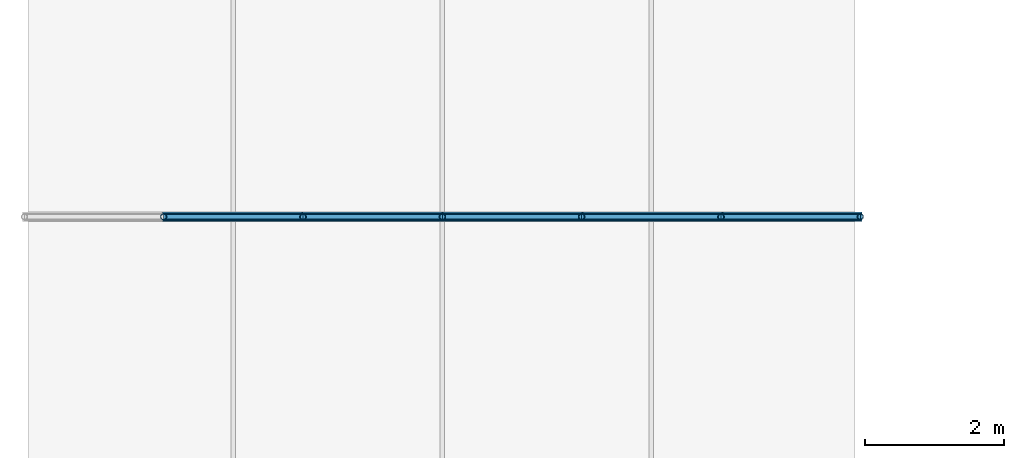
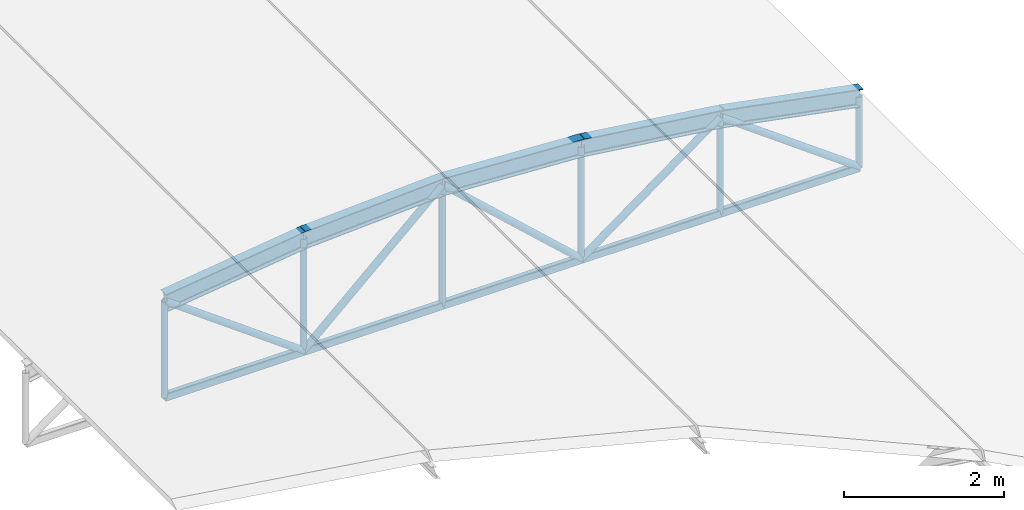
# One storey, part 38 of 54: 21 members.
"""IFC4 building model written with IfcOpenShell, lengths in metres."""

from ifc_helpers import new_model, si_unit, derived_unit, direction, frame, origin, origin_2d, place, context, subcontext, project, spatial, hollow_rectangle, hollow_circle, i_section, extrude, material, material_profile, profile_set, type_object, element, save


model = new_model("IFC4")

# Units and contexts
model_context = context("Model", 3, precision=1e-05, world=origin(), true_north=direction((0.0, 1.0)))
body_context = subcontext(model_context, "Body", "Model", "MODEL_VIEW")
ifc_project = project(units=[si_unit("LENGTHUNIT", "METRE"), si_unit("AREAUNIT", "SQUARE_METRE"), si_unit("VOLUMEUNIT", "CUBIC_METRE"), si_unit("PLANEANGLEUNIT", "RADIAN"), si_unit("MASSUNIT", "GRAM", prefix="KILO"), derived_unit("THERMALTRANSMITTANCEUNIT", [(si_unit("POWERUNIT", "WATT"), 1), (si_unit("LENGTHUNIT", "METRE"), -2), (si_unit("THERMODYNAMICTEMPERATUREUNIT", "KELVIN"), -1)])], contexts=[model_context])

# Site, building, storey
site_placement = place(None, origin())
site = spatial("IfcSite", under=ifc_project, at=site_placement, CompositionType="ELEMENT")
building_placement = place(site_placement, origin())
building = spatial("IfcBuilding", under=site, at=building_placement, Name="Keldorne Ridge Multi-Sports Centre", CompositionType="ELEMENT")
storey_placement = place(building_placement, frame((0.0, 0.0, 22.199951171875)))
storey = spatial("IfcBuildingStorey", under=building, at=storey_placement, Name="ROOF", CompositionType="ELEMENT", Elevation=22.199951171875)

# Members
ifc_material = material(Name="Steel S355", Category="steel")
ifc_material_profile_1 = material_profile(ifc_material, i_section(OverallWidth=0.135009765625, OverallDepth=0.27001953125, WebThickness=0.006591796875, FlangeThickness=0.01025390625, FilletRadius=0.014892578125, at=origin_2d()), Name="IPE 270")
ifc_profile_set_1 = profile_set([ifc_material_profile_1], Name="Steel S355")
member_type_1 = type_object("IfcMemberType", Name="MEM-RF-02", PredefinedType="RAFTER", material=ifc_profile_set_1)
member_1_placement = place(storey_placement, frame((86.0, 82.0, -12.260009765625), z_axis=(0.991654998325, 0.0, 0.128919991848), x_axis=(0.0, 1.0, 0.0)))
element("IfcMember", 1, at=member_1_placement, inside=storey, type_object=member_type_1, Name="Public Passage bowstring arch top chord 10.2", PredefinedType="RAFTER", context=body_context, shape_type="SweptSolid", body=[
    extrude(i_section(OverallWidth=0.135009765625, OverallDepth=0.27001953125, WebThickness=0.006591796875, FlangeThickness=0.01025390625, FilletRadius=0.014892578125, at=origin_2d()), origin(), (0.0, 0.0, 1.0), 2.016845703125),
])
for number, where, z_axis, x_axis, name in (
    (2, (88.0, 82.0, -12.0), (0.998487980686, 0.0, 0.054970468663), (0.0, 1.0, 0.0), "Public Passage bowstring arch top chord 10.3"),
    (3, (90.0, 82.0, -11.889892578125), (0.998487980686, 0.0, -0.054970468663), (0.0, 1.0, 0.0), "Public Passage bowstring arch top chord 10.4"),
):
    element("IfcMember", number, at=place(storey_placement, frame(where, z_axis=z_axis, x_axis=x_axis)), inside=storey, type_object=member_type_1, Name=name, PredefinedType="RAFTER", context=body_context, shape_type="SweptSolid", body=[
        extrude(i_section(OverallWidth=0.135009765625, OverallDepth=0.27001953125, WebThickness=0.006591796875, FlangeThickness=0.01025390625, FilletRadius=0.014892578125, at=origin_2d()), origin(), (0.0, 0.0, 1.0), 2.0029296875),
    ])
member_2_placement = place(storey_placement, frame((92.0, 82.0, -12.0), z_axis=(0.991654998325, 0.0, -0.128919991848), x_axis=(0.0, 1.0, 0.0)))
element("IfcMember", 4, at=member_2_placement, inside=storey, type_object=member_type_1, Name="Public Passage bowstring arch top chord 10.5", PredefinedType="RAFTER", context=body_context, shape_type="SweptSolid", body=[
    extrude(i_section(OverallWidth=0.135009765625, OverallDepth=0.27001953125, WebThickness=0.006591796875, FlangeThickness=0.01025390625, FilletRadius=0.014892578125, at=origin_2d()), origin(), (0.0, 0.0, 1.0), 2.016845703125),
])
member_3_placement = place(storey_placement, frame((94.0, 82.0, -12.260009765625), z_axis=(0.982435006317, 0.0, -0.186605086649), x_axis=(0.0, 1.0, 0.0)))
element("IfcMember", 5, at=member_3_placement, inside=storey, type_object=member_type_1, Name="Public Passage bowstring arch top chord 10.6", PredefinedType="RAFTER", context=body_context, shape_type="SweptSolid", body=[
    extrude(i_section(OverallWidth=0.135009765625, OverallDepth=0.27001953125, WebThickness=0.006591796875, FlangeThickness=0.01025390625, FilletRadius=0.014892578125, at=origin_2d()), origin(), (0.0, 0.0, 1.0), 2.03564453125),
])
ifc_material_profile_2 = material_profile(ifc_material, hollow_rectangle(XDim=0.080078125, YDim=0.1201171875, WallThickness=0.008056640625, InnerFilletRadius=0.008056640625, OuterFilletRadius=0.01611328125, at=origin_2d()), Name="RHS 120x80x8")
ifc_profile_set_2 = profile_set([ifc_material_profile_2], Name="Steel S355")
member_type_2 = type_object("IfcMemberType", Name="MEM-TC-07", PredefinedType="CHORD", material=ifc_profile_set_2)
for number, where, z_axis, x_axis, name in (
    (6, (86.0, 82.0, -13.719970703125), (1.0, 0.0, 0.0), (0.0, 1.0, 0.0), "Public Passage bowstring tie chord 10.2"),
    (7, (88.0, 82.0, -13.719970703125), (1.0, 0.0, 0.0), (0.0, 1.0, 0.0), "Public Passage bowstring tie chord 10.3"),
    (8, (90.0, 82.0, -13.719970703125), (1.0, 0.0, 0.0), (0.0, 1.0, 0.0), "Public Passage bowstring tie chord 10.4"),
    (9, (92.0, 82.0, -13.719970703125), (1.0, 0.0, 0.0), (0.0, 1.0, 0.0), "Public Passage bowstring tie chord 10.5"),
    (10, (94.0, 82.0, -13.719970703125), (1.0, 0.0, 0.0), (0.0, 1.0, 0.0), "Public Passage bowstring tie chord 10.6"),
):
    element("IfcMember", number, at=place(storey_placement, frame(where, z_axis=z_axis, x_axis=x_axis)), inside=storey, type_object=member_type_2, Name=name, PredefinedType="CHORD", context=body_context, shape_type="SweptSolid", body=[
        extrude(hollow_rectangle(XDim=0.080078125, YDim=0.1201171875, WallThickness=0.008056640625, InnerFilletRadius=0.008056640625, OuterFilletRadius=0.01611328125, at=origin_2d()), origin(), (0.0, 0.0, 1.0), 2.0),
    ])
ifc_material_profile_3 = material_profile(ifc_material, hollow_circle(Radius=0.05078125, WallThickness=0.00634765625, at=origin_2d()), Name="CHS 101.6x6.3")
ifc_profile_set_3 = profile_set([ifc_material_profile_3], Name="Steel S355")
member_type_3 = type_object("IfcMemberType", Name="MEM-TD-05", PredefinedType="BRACE", material=ifc_profile_set_3)
member_4_placement = place(storey_placement, frame((86.0, 82.0, -12.260009765625), z_axis=(0.8076945033, 0.0, -0.589601212125), x_axis=(0.0, 1.0, 0.0)))
element("IfcMember", 11, at=member_4_placement, inside=storey, type_object=member_type_3, Name="Public Passage bowstring web diagonal 10.2", PredefinedType="BRACE", context=body_context, shape_type="SweptSolid", body=[
    extrude(hollow_circle(Radius=0.05078125, WallThickness=0.00634765625, at=origin_2d()), origin(), (0.0, 0.0, 1.0), 2.47607421875),
])
for number, where, z_axis, x_axis, name in (
    (12, (88.0, 82.0, -13.719970703125), (0.737751969913, 0.0, 0.675071870907), (0.0, 1.0, 0.0), "Public Passage bowstring web diagonal 10.3"),
    (13, (90.0, 82.0, -11.889892578125), (0.737751969913, 0.0, -0.675071870907), (0.0, 1.0, 0.0), "Public Passage bowstring web diagonal 10.4"),
):
    element("IfcMember", number, at=place(storey_placement, frame(where, z_axis=z_axis, x_axis=x_axis)), inside=storey, type_object=member_type_3, Name=name, PredefinedType="BRACE", context=body_context, shape_type="SweptSolid", body=[
        extrude(hollow_circle(Radius=0.05078125, WallThickness=0.00634765625, at=origin_2d()), origin(), (0.0, 0.0, 1.0), 2.7109375),
    ])
for number, where, z_axis, x_axis, name in (
    (14, (92.0, 82.0, -13.719970703125), (0.8076945033, 0.0, 0.589601212125), (0.0, 1.0, 0.0), "Public Passage bowstring web diagonal 10.5"),
    (15, (94.0, 82.0, -12.260009765625), (0.8076945033, 0.0, -0.589601212125), (0.0, 1.0, 0.0), "Public Passage bowstring web diagonal 10.6"),
):
    element("IfcMember", number, at=place(storey_placement, frame(where, z_axis=z_axis, x_axis=x_axis)), inside=storey, type_object=member_type_3, Name=name, PredefinedType="BRACE", context=body_context, shape_type="SweptSolid", body=[
        extrude(hollow_circle(Radius=0.05078125, WallThickness=0.00634765625, at=origin_2d()), origin(), (0.0, 0.0, 1.0), 2.47607421875),
    ])
ifc_material_profile_4 = material_profile(ifc_material, hollow_circle(Radius=0.04443359375, WallThickness=0.0048828125, at=origin_2d()), Name="CHS 88.9x5")
ifc_profile_set_4 = profile_set([ifc_material_profile_4], Name="Steel S355")
member_type_4 = type_object("IfcMemberType", Name="MEM-TV-07", PredefinedType="STRUT", material=ifc_profile_set_4)
member_5_placement = place(storey_placement, frame((86.0, 82.0, -13.719970703125), z_axis=(0.0, 0.0, 1.0), x_axis=(1.0, 0.0, 0.0)))
element("IfcMember", 16, at=member_5_placement, inside=storey, type_object=member_type_4, Name="Public Passage bowstring hanger 10.2", PredefinedType="STRUT", context=body_context, shape_type="SweptSolid", body=[
    extrude(hollow_circle(Radius=0.04443359375, WallThickness=0.0048828125, at=origin_2d()), origin(), (0.0, 0.0, 1.0), 1.4599609375),
])
member_6_placement = place(storey_placement, frame((88.0, 82.0, -13.719970703125), z_axis=(0.0, 0.0, 1.0), x_axis=(1.0, 0.0, 0.0)))
element("IfcMember", 17, at=member_6_placement, inside=storey, type_object=member_type_4, Name="Public Passage bowstring hanger 10.3", PredefinedType="STRUT", context=body_context, shape_type="SweptSolid", body=[
    extrude(hollow_circle(Radius=0.04443359375, WallThickness=0.0048828125, at=origin_2d()), origin(), (0.0, 0.0, 1.0), 1.719970703125),
])
member_7_placement = place(storey_placement, frame((90.0, 82.0, -13.719970703125), z_axis=(0.0, 0.0, 1.0), x_axis=(1.0, 0.0, 0.0)))
element("IfcMember", 18, at=member_7_placement, inside=storey, type_object=member_type_4, Name="Public Passage bowstring hanger 10.4", PredefinedType="STRUT", context=body_context, shape_type="SweptSolid", body=[
    extrude(hollow_circle(Radius=0.04443359375, WallThickness=0.0048828125, at=origin_2d()), origin(), (0.0, 0.0, 1.0), 1.830078125),
])
member_8_placement = place(storey_placement, frame((92.0, 82.0, -13.719970703125), z_axis=(0.0, 0.0, 1.0), x_axis=(1.0, 0.0, 0.0)))
element("IfcMember", 19, at=member_8_placement, inside=storey, type_object=member_type_4, Name="Public Passage bowstring hanger 10.5", PredefinedType="STRUT", context=body_context, shape_type="SweptSolid", body=[
    extrude(hollow_circle(Radius=0.04443359375, WallThickness=0.0048828125, at=origin_2d()), origin(), (0.0, 0.0, 1.0), 1.719970703125),
])
member_9_placement = place(storey_placement, frame((94.0, 82.0, -13.719970703125), z_axis=(0.0, 0.0, 1.0), x_axis=(1.0, 0.0, 0.0)))
element("IfcMember", 20, at=member_9_placement, inside=storey, type_object=member_type_4, Name="Public Passage bowstring hanger 10.6", PredefinedType="STRUT", context=body_context, shape_type="SweptSolid", body=[
    extrude(hollow_circle(Radius=0.04443359375, WallThickness=0.0048828125, at=origin_2d()), origin(), (0.0, 0.0, 1.0), 1.4599609375),
])
member_10_placement = place(storey_placement, frame((96.0, 82.0, -13.719970703125), z_axis=(0.0, 0.0, 1.0), x_axis=(1.0, 0.0, 0.0)))
element("IfcMember", 21, at=member_10_placement, inside=storey, type_object=member_type_4, Name="Public Passage bowstring hanger 10.7", PredefinedType="STRUT", context=body_context, shape_type="SweptSolid", body=[
    extrude(hollow_circle(Radius=0.04443359375, WallThickness=0.0048828125, at=origin_2d()), origin(), (0.0, 0.0, 1.0), 1.080078125),
])

save(model, "model.ifc")
